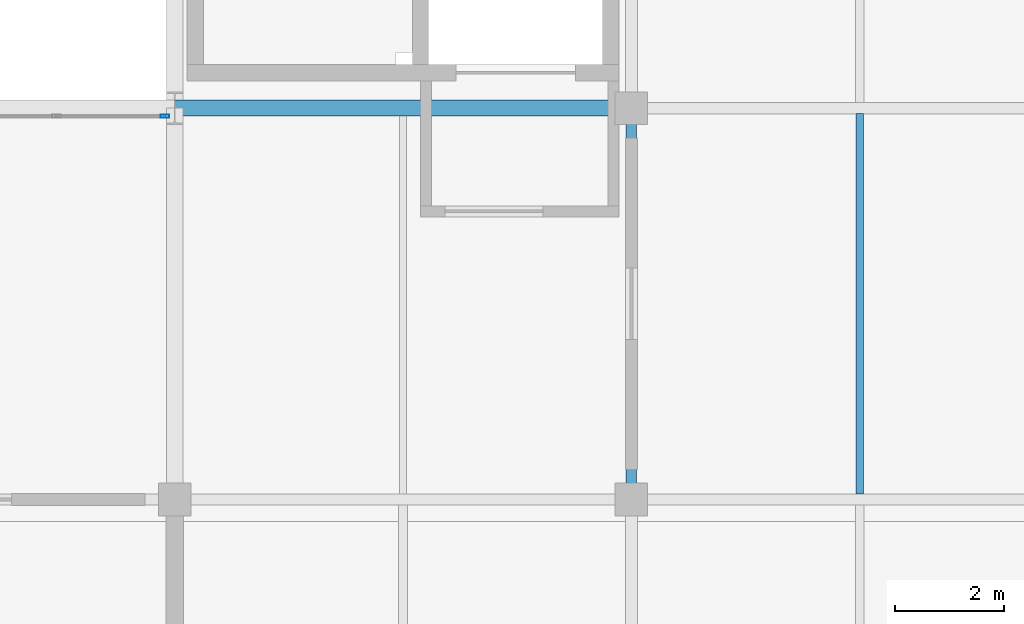
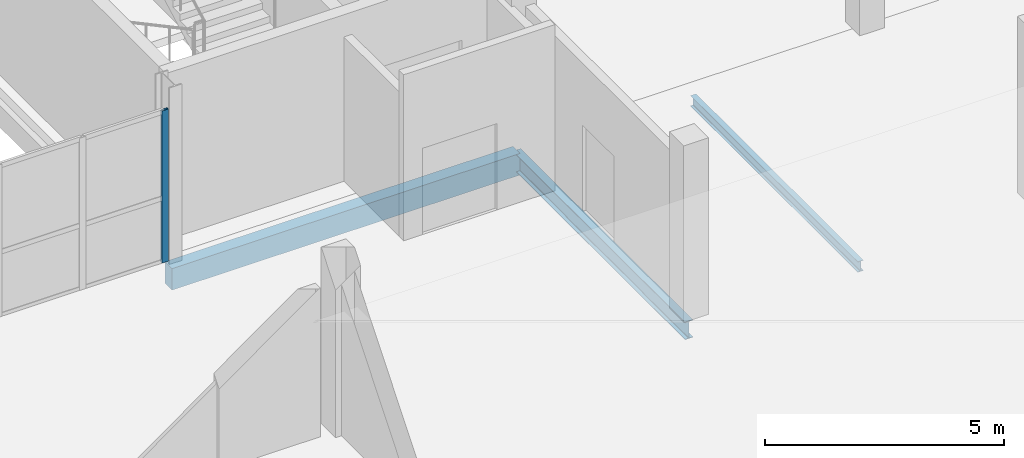
# One storey, part 83 of 130: 3 beams, 1 member, 1 element without a shape of its own.
"""IFC4 building model written with IfcOpenShell, lengths in metres."""

from ifc_helpers import new_model, si_unit, direction, frame, origin, origin_2d, place, context, subcontext, project, spatial, rectangle, hollow_rectangle, i_section, extrude, material, material_profile, profile_set, type_object, element, aggregate, save


model = new_model("IFC4")

# Units and contexts
model_context = context("Model", 3, precision=1e-05, world=origin(), true_north=direction((0.0, 1.0)))
body_context = subcontext(model_context, "Body", "Model", "MODEL_VIEW")
ifc_project = project(units=[si_unit("LENGTHUNIT", "METRE"), si_unit("AREAUNIT", "SQUARE_METRE"), si_unit("VOLUMEUNIT", "CUBIC_METRE"), si_unit("PLANEANGLEUNIT", "RADIAN"), si_unit("MASSUNIT", "GRAM", prefix="KILO")], contexts=[model_context])

# Site, building, storey
site_placement = place(None, origin())
site = spatial("IfcSite", under=ifc_project, at=site_placement, CompositionType="ELEMENT")
building_placement = place(site_placement, origin())
building = spatial("IfcBuilding", under=site, at=building_placement, Name="Veltarok Museum of Natural Sciences", CompositionType="ELEMENT")
storey_placement = place(building_placement, frame((0.0, 0.0, 12.89990234375)))
storey = spatial("IfcBuildingStorey", under=building, at=storey_placement, Name="L02", CompositionType="ELEMENT", Elevation=12.89990234375)

# Curtain wall, member
ifc_material_1 = material(Name="Low-iron triple insulated glass", Category="glass")
curtain_wall_type = type_object("IfcCurtainWallType", Name="Curtain Wall System CW-V5CN-L02-0-810x388 (CW-V5CN L02 810x388cm)", PredefinedType="NOTDEFINED", material=ifc_material_1)
curtain_wall_placement = place(storey_placement, origin())
curtain_wall = element("IfcCurtainWall", 1, at=curtain_wall_placement, inside=storey, type_object=curtain_wall_type, Name="Curtain Wall CW-V5CN-L02-0-810x388 CW-0192", PredefinedType="NOTDEFINED")
ifc_material_2 = material(Name="Thermally broken anodised aluminium", Category="aluminium")
ifc_material_profile_1 = material_profile(ifc_material_2, hollow_rectangle(XDim=0.06005859375, YDim=0.159912109375, WallThickness=0.0048828125, at=origin_2d()), Name="CW MULLION 60x160x5")
ifc_profile_set_1 = profile_set([ifc_material_profile_1], Name="Thermally broken anodised aluminium")
member_type = type_object("IfcMemberType", Name="Curtain Wall Vertical Mullion 60x160x5", PredefinedType="MULLION", material=ifc_profile_set_1)
member_placement = place(storey_placement, frame((132.219970703125, 26.25, -0.001953125), z_axis=(0.0, 0.0, 1.0), x_axis=(0.0, -1.0, 0.0)))
member = element("IfcMember", 2, at=member_placement, type_object=member_type, Name="CW-V5CN-L02-0-810x388 mullion 1", PredefinedType="MULLION", context=body_context, shape_type="SweptSolid", body=[
    extrude(hollow_rectangle(XDim=0.06005859375, YDim=0.159912109375, WallThickness=0.0048828125, at=origin_2d()), origin(), (0.0, 0.0, 1.0), 3.882080078125),
])
aggregate(curtain_wall, [member])

# Beams
ifc_material_3 = material(Name="Precast concrete C40/50", Category="concrete")
ifc_material_profile_2 = material_profile(ifc_material_3, rectangle(XDim=0.300048828125, YDim=0.550048828125, at=origin_2d()), Name="RC 300x550")
ifc_profile_set_2 = profile_set([ifc_material_profile_2], Name="Precast concrete C40/50")
beam_type_1 = type_object("IfcBeamType", Name="East Wing Precast Spandrel RC 300x550", PredefinedType="SPANDREL", material=ifc_profile_set_2)
beam_1_placement = place(storey_placement, frame((132.39990234375, 26.39990234375, -0.52490234375), z_axis=(1.0, 0.0, 0.0), x_axis=(0.0, 1.0, 0.0)))
element("IfcBeam", 3, at=beam_1_placement, inside=storey, type_object=beam_type_1, Name="Beam BM-SP02 L02 16-17/D", PredefinedType="SPANDREL", context=body_context, shape_type="SweptSolid", body=[
    extrude(rectangle(XDim=0.300048828125, YDim=0.550048828125, at=origin_2d()), origin(), (0.0, 0.0, 1.0), 8.400146484375),
])
ifc_material_4 = material(Name="Steel S355J2", Category="steel")
ifc_material_profile_3 = material_profile(ifc_material_4, i_section(OverallWidth=0.18994140625, OverallDepth=0.449951171875, WebThickness=0.009521484375, FlangeThickness=0.0146484375, FilletRadius=0.02099609375, at=origin_2d()), Name="IPE 450")
ifc_profile_set_3 = profile_set([ifc_material_profile_3], Name="Steel S355J2")
beam_type_2 = type_object("IfcBeamType", Name="Laboratory Floor Girder IPE 450", PredefinedType="BEAM", material=ifc_profile_set_3)
beam_2_placement = place(storey_placement, frame((140.800048828125, 19.199951171875, -0.474853515625), z_axis=(0.0, 1.0, 0.0), x_axis=(-1.0, 0.0, 0.0)))
element("IfcBeam", 4, at=beam_2_placement, inside=storey, type_object=beam_type_2, Name="Beam BM-G05 L02 17/C-D", PredefinedType="BEAM", context=body_context, shape_type="SweptSolid", body=[
    extrude(i_section(OverallWidth=0.18994140625, OverallDepth=0.449951171875, WebThickness=0.009521484375, FlangeThickness=0.0146484375, FilletRadius=0.02099609375, at=origin_2d()), origin(), (0.0, 0.0, 1.0), 7.199951171875),
])
ifc_material_profile_4 = material_profile(ifc_material_4, i_section(OverallWidth=0.135009765625, OverallDepth=0.27001953125, WebThickness=0.006591796875, FlangeThickness=0.01025390625, FilletRadius=0.014892578125, at=origin_2d()), Name="IPE 270")
ifc_profile_set_4 = profile_set([ifc_material_profile_4], Name="Steel S355J2")
beam_type_3 = type_object("IfcBeamType", Name="Short-Bay Composite Joist IPE 270", PredefinedType="JOIST", material=ifc_profile_set_4)
beam_3_placement = place(storey_placement, frame((145.0, 19.302978515625, -0.385009765625), z_axis=(0.0, 1.0, 0.0), x_axis=(-1.0, 0.0, 0.0)))
element("IfcBeam", 5, at=beam_3_placement, inside=storey, type_object=beam_type_3, Name="Secondary Joist BM-J04 L02 17-18/C-D.1", PredefinedType="JOIST", context=body_context, shape_type="SweptSolid", body=[
    extrude(i_section(OverallWidth=0.135009765625, OverallDepth=0.27001953125, WebThickness=0.006591796875, FlangeThickness=0.01025390625, FilletRadius=0.014892578125, at=origin_2d()), origin(), (0.0, 0.0, 1.0), 6.994140625),
])

save(model, "model.ifc")
